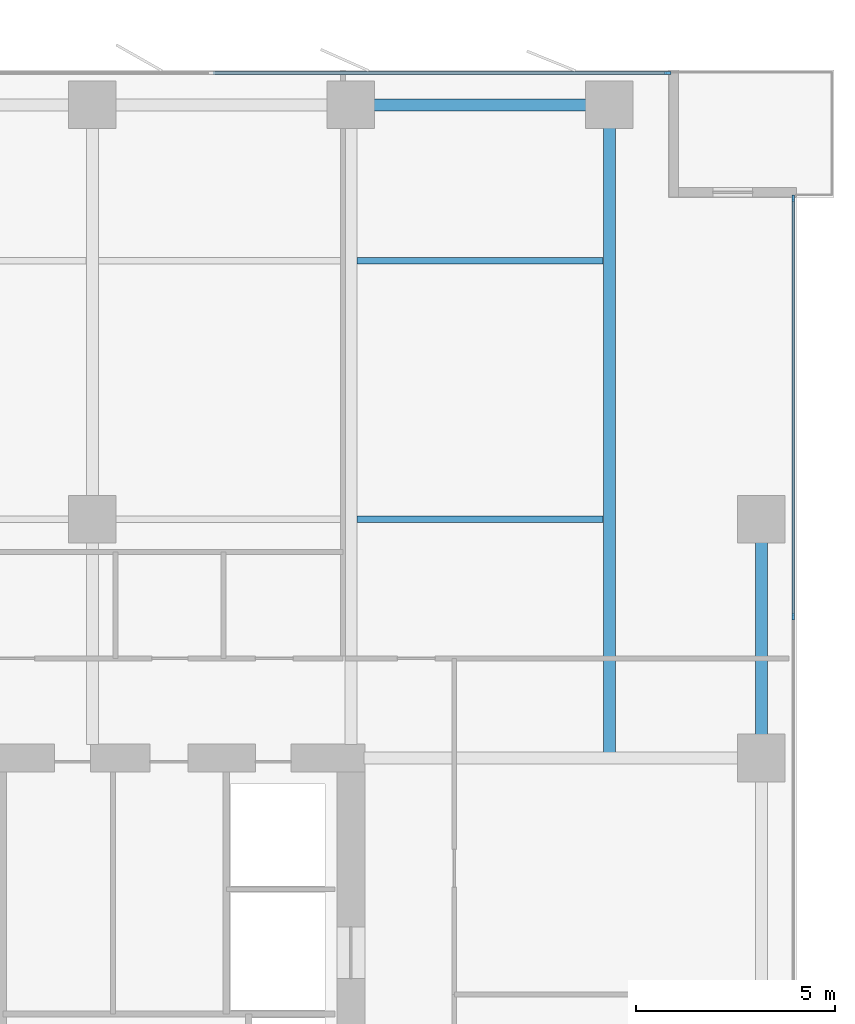
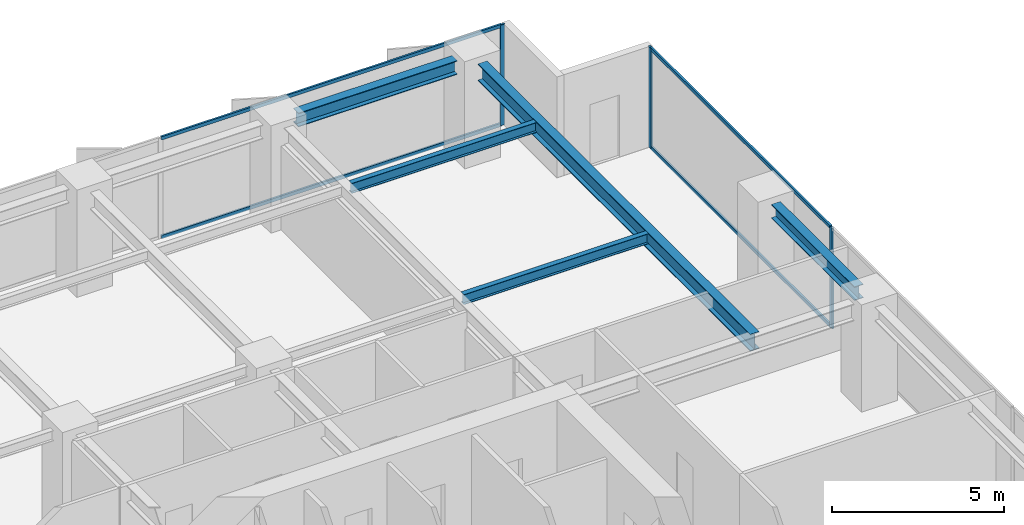
# One storey, part 11 of 20: 7 members, 5 beams, 2 elements without a shape of their own.
"""IFC4 building model written with IfcOpenShell, lengths in metres."""

from ifc_helpers import new_model, si_unit, direction, frame, origin, origin_2d, place, context, subcontext, project, spatial, rectangle, i_section, extrude, material, layer, layer_set, material_profile, profile_set, type_object, element, aggregate, save


model = new_model("IFC4")

# Units and contexts
model_context = context("Model", 3, precision=1e-05, world=origin(), true_north=direction((0.0, 1.0)))
body_context = subcontext(model_context, "Body", "Model", "MODEL_VIEW")
ifc_project = project(units=[si_unit("LENGTHUNIT", "METRE"), si_unit("AREAUNIT", "SQUARE_METRE"), si_unit("VOLUMEUNIT", "CUBIC_METRE"), si_unit("PLANEANGLEUNIT", "RADIAN"), si_unit("MASSUNIT", "GRAM", prefix="KILO")], contexts=[model_context])

# Site, building, storey
site_placement = place(None, origin())
site = spatial("IfcSite", under=ifc_project, at=site_placement, CompositionType="ELEMENT")
building_placement = place(site_placement, origin())
building = spatial("IfcBuilding", under=site, at=building_placement, Name="Putna Gate Headquarters", CompositionType="ELEMENT")
storey_placement = place(building_placement, frame((0.0, 0.0, 131.60009765625)))
storey = spatial("IfcBuildingStorey", under=building, at=storey_placement, Name="L32", CompositionType="ELEMENT", Elevation=131.60009765625)

# Beams
ifc_material_1 = material(Name="Steel S355J2", Category="steel")
ifc_material_profile_1 = material_profile(ifc_material_1, i_section(OverallWidth=0.300048828125, OverallDepth=0.60009765625, WebThickness=0.015380859375, FlangeThickness=0.030029296875, at=origin_2d()), Name="Steel S355J2")
ifc_profile_set_1 = profile_set([ifc_material_profile_1], Name="Steel S355J2")
beam_type_1 = type_object("IfcBeamType", Name="BM-GIRD-Z2-HEB600", PredefinedType="USERDEFINED", material=ifc_profile_set_1)
beam_1_placement = place(storey_placement, frame((71.5, 33.011962890625, 3.264892578125), z_axis=(0.0, 1.0, 0.0), x_axis=(-1.0, 0.0, 0.0)))
element("IfcBeam", 1, at=beam_1_placement, inside=storey, type_object=beam_type_1, Name="L32 North Primary Girder X71", ObjectType="GIRDER", PredefinedType="USERDEFINED", context=body_context, shape_type="SweptSolid", body=[
    extrude(i_section(OverallWidth=0.300048828125, OverallDepth=0.60009765625, WebThickness=0.015380859375, FlangeThickness=0.030029296875, at=origin_2d()), origin(), (0.0, 0.0, 1.0), 15.820068359375),
])
ifc_material_profile_2 = material_profile(ifc_material_1, i_section(OverallWidth=0.169921875, OverallDepth=0.360107421875, WebThickness=0.008056640625, FlangeThickness=0.0126953125, at=origin_2d()), Name="Steel S355J2")
ifc_profile_set_2 = profile_set([ifc_material_profile_2], Name="Steel S355J2")
beam_type_2 = type_object("IfcBeamType", Name="BM-SEC-Z2-IPE360", PredefinedType="BEAM", material=ifc_profile_set_2)
for number, where, z_axis, x_axis, name in (
    (2, (65.154052734375, 39.0, 3.385009765625), (1.0, 0.0, 0.0), (0.0, 1.0, 0.0), "L32 North Secondary Beam 10"),
    (3, (65.154052734375, 45.5, 3.385009765625), (1.0, 0.0, 0.0), (0.0, 1.0, 0.0), "L32 North Secondary Beam 10"),
):
    element("IfcBeam", number, at=place(storey_placement, frame(where, z_axis=z_axis, x_axis=x_axis)), inside=storey, type_object=beam_type_2, Name=name, PredefinedType="BEAM", context=body_context, shape_type="SweptSolid", body=[
        extrude(i_section(OverallWidth=0.169921875, OverallDepth=0.360107421875, WebThickness=0.008056640625, FlangeThickness=0.0126953125, at=origin_2d()), origin(), (0.0, 0.0, 1.0), 6.19189453125),
    ])
ifc_material_profile_3 = material_profile(ifc_material_1, i_section(OverallWidth=0.300048828125, OverallDepth=0.489990234375, WebThickness=0.011962890625, FlangeThickness=0.02294921875, at=origin_2d()), Name="Steel S355J2")
ifc_profile_set_3 = profile_set([ifc_material_profile_3], Name="Steel S355J2")
beam_type_3 = type_object("IfcBeamType", Name="BM-SPAN-Z2-HEA500", PredefinedType="SPANDREL", material=ifc_profile_set_3)
beam_2_placement = place(storey_placement, frame((65.587890625, 49.419921875, 3.31982421875), z_axis=(1.0, 0.0, 0.0), x_axis=(0.0, 1.0, 0.0)))
element("IfcBeam", 4, at=beam_2_placement, inside=storey, type_object=beam_type_3, Name="L32 N Perimeter Spandrel 10", PredefinedType="SPANDREL", context=body_context, shape_type="SweptSolid", body=[
    extrude(i_section(OverallWidth=0.300048828125, OverallDepth=0.489990234375, WebThickness=0.011962890625, FlangeThickness=0.02294921875, at=origin_2d()), origin(), (0.0, 0.0, 1.0), 5.32421875),
])
beam_3_placement = place(storey_placement, frame((75.320068359375, 33.587890625, 3.31982421875), z_axis=(0.0, 1.0, 0.0), x_axis=(-1.0, 0.0, 0.0)))
element("IfcBeam", 5, at=beam_3_placement, inside=storey, type_object=beam_type_3, Name="L32 E End Spandrel 3", PredefinedType="SPANDREL", context=body_context, shape_type="SweptSolid", body=[
    extrude(i_section(OverallWidth=0.300048828125, OverallDepth=0.489990234375, WebThickness=0.011962890625, FlangeThickness=0.02294921875, at=origin_2d()), origin(), (0.0, 0.0, 1.0), 4.82421875),
])

# Curtain wall, member
ifc_material_2 = material(Name="Anodised bronze aluminium curtain wall", Category="aluminium")
ifc_layer = layer(ifc_material_2, 0.159912109375)
ifc_layer_set = layer_set([ifc_layer], Name="Anodised bronze aluminium curtain wall")
curtain_wall_type = type_object("IfcCurtainWallType", Name="CW-SYS-Z2", PredefinedType="USERDEFINED", material=ifc_layer_set)
curtain_wall_1_placement = place(storey_placement, origin())
curtain_wall_1 = element("IfcCurtainWall", 6, at=curtain_wall_1_placement, inside=storey, type_object=curtain_wall_type, Name="L32 North East Curtain Wall", ObjectType="STICK CURTAIN WALL", PredefinedType="USERDEFINED")
ifc_material_3 = material(Name="Anodised bronze aluminium EN AW-6060", Category="aluminium")
ifc_material_profile_4 = material_profile(ifc_material_3, rectangle(XDim=0.06494140625, YDim=0.159912109375, at=origin_2d()), Name="Anodised bronze aluminium EN AW-6060")
ifc_profile_set_4 = profile_set([ifc_material_profile_4], Name="Anodised bronze aluminium EN AW-6060")
member_type_1 = type_object("IfcMemberType", Name="MULL-CWM-2", PredefinedType="MULLION", material=ifc_profile_set_4)
member_1_placement = place(storey_placement, frame((72.967529296875, 50.219970703125, 0.0), z_axis=(0.0, 0.0, 1.0), x_axis=(0.0, 1.0, 0.0)))
member_1 = element("IfcMember", 7, at=member_1_placement, type_object=member_type_1, Name="CWS-2 mullion 3", PredefinedType="MULLION", context=body_context, shape_type="SweptSolid", body=[
    extrude(rectangle(XDim=0.06494140625, YDim=0.159912109375, at=origin_2d()), origin(), (0.0, 0.0, 1.0), 3.56494140625),
])

# Curtain wall, members
curtain_wall_2_placement = place(storey_placement, origin())
curtain_wall_2 = element("IfcCurtainWall", 8, at=curtain_wall_2_placement, inside=storey, type_object=curtain_wall_type, Name="L32 East Curtain Wall", ObjectType="STICK CURTAIN WALL", PredefinedType="USERDEFINED")
member_2_placement = place(storey_placement, frame((76.1201171875, 36.550048828125, 0.0), z_axis=(0.0, 0.0, 1.0), x_axis=(-1.0, 0.0, 0.0)))
member_2 = element("IfcMember", 9, at=member_2_placement, type_object=member_type_1, Name="CWS-2 mullion 4", PredefinedType="MULLION", context=body_context, shape_type="SweptSolid", body=[
    extrude(rectangle(XDim=0.06494140625, YDim=0.159912109375, at=origin_2d()), origin(), (0.0, 0.0, 1.0), 3.56494140625),
])
member_3_placement = place(storey_placement, frame((76.1201171875, 47.0673828125, 0.0), z_axis=(0.0, 0.0, 1.0), x_axis=(-1.0, 0.0, 0.0)))
member_3 = element("IfcMember", 10, at=member_3_placement, type_object=member_type_1, Name="CWS-2 mullion 5", PredefinedType="MULLION", context=body_context, shape_type="SweptSolid", body=[
    extrude(rectangle(XDim=0.06494140625, YDim=0.159912109375, at=origin_2d()), origin(), (0.0, 0.0, 1.0), 3.56494140625),
])

# Member
ifc_material_profile_5 = material_profile(ifc_material_3, rectangle(XDim=0.06494140625, YDim=0.1201171875, at=origin_2d()), Name="Anodised bronze aluminium EN AW-6060")
ifc_profile_set_5 = profile_set([ifc_material_profile_5], Name="Anodised bronze aluminium EN AW-6060")
member_type_2 = type_object("IfcMemberType", Name="TRAN-CWT-2", PredefinedType="USERDEFINED", material=ifc_profile_set_5)
member_4_placement = place(storey_placement, frame((61.532470703125, 50.219970703125, 0.032470703125), z_axis=(1.0, 0.0, 0.0), x_axis=(0.0, 1.0, 0.0)))
member_4 = element("IfcMember", 11, at=member_4_placement, type_object=member_type_2, Name="CWS-2 transom 2.1", ObjectType="TRANSOM", PredefinedType="USERDEFINED", context=body_context, shape_type="SweptSolid", body=[
    extrude(rectangle(XDim=0.06494140625, YDim=0.1201171875, at=origin_2d()), origin(), (0.0, 0.0, 1.0), 11.402587890625),
])

member_5_placement = place(storey_placement, frame((61.532470703125, 50.219970703125, 3.532470703125), z_axis=(1.0, 0.0, 0.0), x_axis=(0.0, 1.0, 0.0)))
member_5 = element("IfcMember", 12, at=member_5_placement, type_object=member_type_2, Name="CWS-2 transom 2.2", ObjectType="TRANSOM", PredefinedType="USERDEFINED", context=body_context, shape_type="SweptSolid", body=[
    extrude(rectangle(XDim=0.06494140625, YDim=0.1201171875, at=origin_2d()), origin(), (0.0, 0.0, 1.0), 11.402587890625),
])

aggregate(curtain_wall_1, [member_1, member_4, member_5])

member_6_placement = place(storey_placement, frame((76.1201171875, 36.58251953125, 0.032470703125), z_axis=(0.0, 1.0, 0.0), x_axis=(-1.0, 0.0, 0.0)))
member_6 = element("IfcMember", 13, at=member_6_placement, type_object=member_type_2, Name="CWS-2 transom 4.1", ObjectType="TRANSOM", PredefinedType="USERDEFINED", context=body_context, shape_type="SweptSolid", body=[
    extrude(rectangle(XDim=0.06494140625, YDim=0.1201171875, at=origin_2d()), origin(), (0.0, 0.0, 1.0), 10.452392578125),
])

member_7_placement = place(storey_placement, frame((76.1201171875, 36.58251953125, 3.532470703125), z_axis=(0.0, 1.0, 0.0), x_axis=(-1.0, 0.0, 0.0)))
member_7 = element("IfcMember", 14, at=member_7_placement, type_object=member_type_2, Name="CWS-2 transom 4.2", ObjectType="TRANSOM", PredefinedType="USERDEFINED", context=body_context, shape_type="SweptSolid", body=[
    extrude(rectangle(XDim=0.06494140625, YDim=0.1201171875, at=origin_2d()), origin(), (0.0, 0.0, 1.0), 10.452392578125),
])

aggregate(curtain_wall_2, [member_2, member_3, member_6, member_7])

save(model, "model.ifc")
